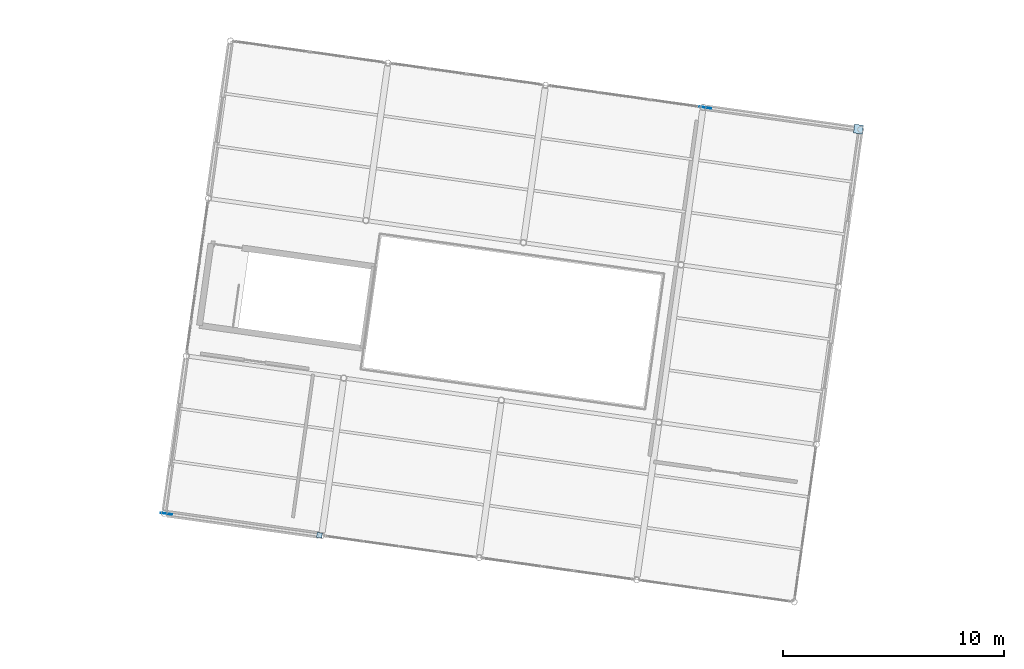
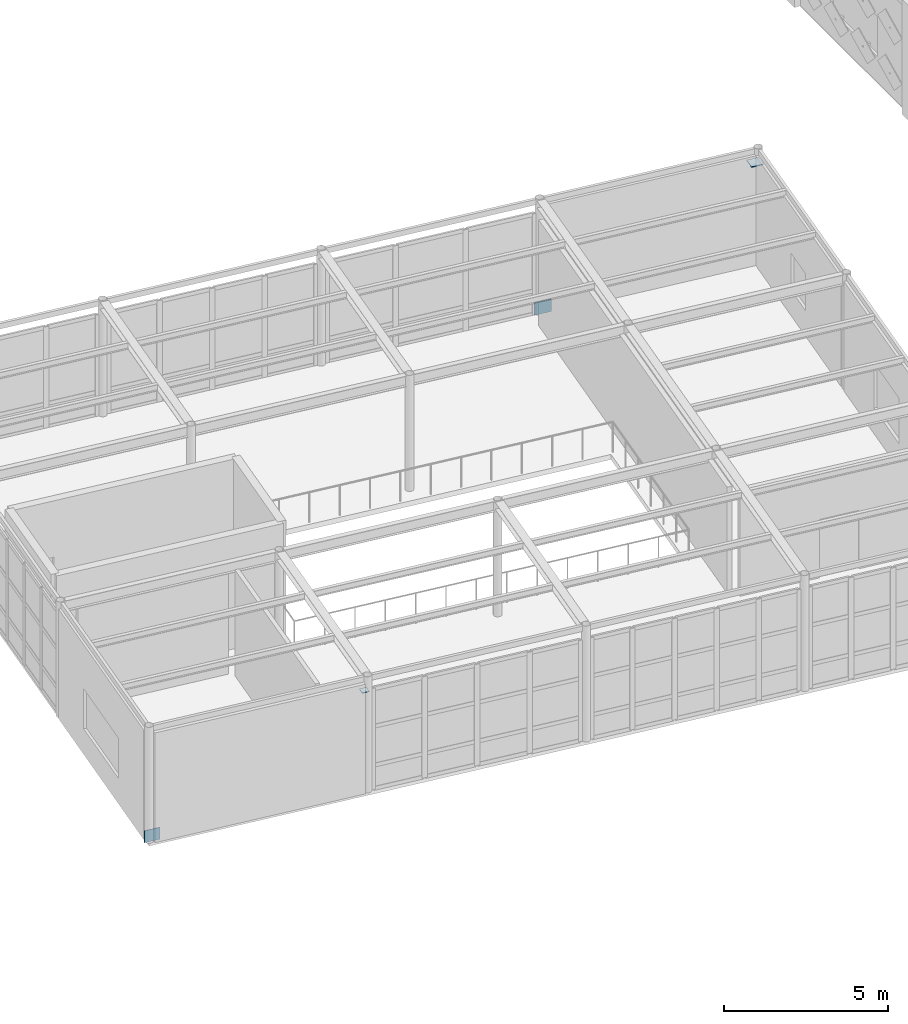
# One storey, part 51 of 67: 4 plates.
"""IFC4 building model written with IfcOpenShell, lengths in metres."""

import ifcopenshell
import ifcopenshell.guid

model = None  # the IFC model being written
_history = None  # IfcOwnerHistory: only IFC2X3 demands one
_inside = {}  # id of a spatial element -> (the spatial element, [elements in it])
_under = {}  # id of a project, library or spatial element -> (it, [spatial elements below it])
_declared = {}  # id of a project -> (the project, [libraries it declares])
_typed = {}  # id of a type object -> (the type object, [elements of that type])
_made_of = {}  # id of a material, layer set ... -> (it, [elements and type objects made of it])


def new_model(schema):
    """Start an empty IFC model of exactly this schema.

    Asked for "IFC4X3", IfcOpenShell would pick the latest addendum, in which some entities
    have other attributes; the version numbers below select the first issue.
    IFC2X3 requires an IfcOwnerHistory on every rooted entity: one is made here for all.
    """
    global model, _history
    if schema == "IFC4X3":
        model = ifcopenshell.file(schema_version=(4, 3, 0, 0))
    else:
        model = ifcopenshell.file(schema=schema)
    _inside.clear()
    _under.clear()
    _declared.clear()
    _typed.clear()
    _made_of.clear()
    _history = None
    if model.schema == "IFC2X3":
        org = make("IfcOrganization", Name="unknown")
        user = make(
            "IfcPersonAndOrganization",
            ThePerson=make("IfcPerson", FamilyName="unknown"),
            TheOrganization=org,
        )
        app = make(
            "IfcApplication",
            ApplicationDeveloper=org,
            Version="unknown",
            ApplicationFullName="unknown",
            ApplicationIdentifier="unknown",
        )
        _history = make(
            "IfcOwnerHistory",
            OwningUser=user,
            OwningApplication=app,
            ChangeAction="ADDED",
            CreationDate=0,
        )
    return model


def make(cls, **values):
    """One entity of the class cls with the attributes given. An attribute that is None is left unset."""
    return model.create_entity(
        cls, **{name: value for name, value in values.items() if value is not None}
    )


def rooted(cls, **values):
    """An entity with a GlobalId (a new one), such as an element, a storey or a relation."""
    return make(cls, GlobalId=ifcopenshell.guid.new(), OwnerHistory=_history, **values)


def si_unit(unit_type, name, prefix=None):
    """IfcSIUnit, for example si_unit("LENGTHUNIT", "METRE", prefix="MILLI")."""
    return make("IfcSIUnit", UnitType=unit_type, Prefix=prefix, Name=name)


def assignment(units):
    """IfcUnitAssignment: the units of a project."""
    return None if units is None else make("IfcUnitAssignment", Units=units)


def point(xyz):
    """IfcCartesianPoint."""
    return None if xyz is None else make("IfcCartesianPoint", Coordinates=xyz)


def direction(xyz):
    """IfcDirection."""
    return None if xyz is None else make("IfcDirection", DirectionRatios=xyz)


def frame(location, z_axis=None, x_axis=None):
    """IfcAxis2Placement3D, a coordinate frame: its origin and axes. An axis left out is left unset."""
    return make(
        "IfcAxis2Placement3D",
        Location=point(location),
        Axis=direction(z_axis),
        RefDirection=direction(x_axis),
    )


def frame_2d(location, x_axis=None):
    """IfcAxis2Placement2D, a coordinate frame in the plane: its origin and x axis."""
    return make(
        "IfcAxis2Placement2D", Location=point(location), RefDirection=direction(x_axis)
    )


def origin():
    """The frame at (0, 0, 0) with its axes left unset."""
    return frame((0.0, 0.0, 0.0))


def origin_2d():
    """The frame at (0, 0) in the plane with its x axis left unset."""
    return frame_2d((0.0, 0.0))


def place(relative_to, where):
    """IfcLocalPlacement: puts the frame where relative to a parent placement (None: the world)."""
    return make(
        "IfcLocalPlacement", PlacementRelTo=relative_to, RelativePlacement=where
    )


def context(
    kind, dimensions, precision=None, world=None, true_north=None, identifier=None
):
    """IfcGeometricRepresentationContext, for example the 3D "Model" context."""
    return make(
        "IfcGeometricRepresentationContext",
        ContextIdentifier=identifier,
        ContextType=kind,
        CoordinateSpaceDimension=dimensions,
        Precision=precision,
        WorldCoordinateSystem=world,
        TrueNorth=true_north,
    )


def subcontext(parent, identifier, kind, view, scale=None):
    """IfcGeometricRepresentationSubContext, for example "Body" below "Model"."""
    return make(
        "IfcGeometricRepresentationSubContext",
        ContextIdentifier=identifier,
        ContextType=kind,
        ParentContext=parent,
        TargetScale=scale,
        TargetView=view,
    )


def project(units=None, contexts=None):
    """IfcProject with its units and contexts."""
    return rooted(
        "IfcProject",
        Name="project",
        RepresentationContexts=contexts,
        UnitsInContext=assignment(units),
    )


def spatial(cls, under=None, at=None, **own):
    """A site, building, storey or space (cls), placed at a placement, below another one or the project."""
    s = rooted(cls, ObjectPlacement=at, **own)
    if under is not None:
        _under.setdefault(under.id(), (under, []))[1].append(s)
    return s


def profile(cls, at=None, kind="AREA", **sizes):
    """A parametric profile (cls). Its sizes go by their IFC names, for example OverallWidth=200.0."""
    return make(cls, ProfileType=kind, Position=at, **sizes)


def rectangle(**sizes):
    """IfcRectangleProfileDef."""
    return profile("IfcRectangleProfileDef", **sizes)


def extrude(swept, where, along, depth):
    """IfcExtrudedAreaSolid: the profile swept, set in the frame where, extruded along a direction by depth."""
    return make(
        "IfcExtrudedAreaSolid",
        SweptArea=swept,
        Position=where,
        ExtrudedDirection=direction(along),
        Depth=depth,
    )


def shape(context_of_items, identifier, shape_type, items):
    """IfcShapeRepresentation: the items that make up one representation, for example the "Body"."""
    return make(
        "IfcShapeRepresentation",
        ContextOfItems=context_of_items,
        RepresentationIdentifier=identifier,
        RepresentationType=shape_type,
        Items=items,
    )


def material(Name=None, Category=None):
    """IfcMaterial."""
    return make("IfcMaterial", Name=Name, Category=Category)


def layer(
    of_material, thickness, ventilated=None, Name=None, Category=None, Priority=None
):
    """IfcMaterialLayer: one layer of a wall or slab, of a material (None: an air gap)."""
    return make(
        "IfcMaterialLayer",
        Material=of_material,
        LayerThickness=thickness,
        IsVentilated=ventilated,
        Name=Name,
        Category=Category,
        Priority=Priority,
    )


def layer_set(layers, Name=None):
    """IfcMaterialLayerSet."""
    return make("IfcMaterialLayerSet", MaterialLayers=layers, LayerSetName=Name)


def made_of(thing, what):
    """Note that an element or type object is made of a material, layer set ...; save() writes the relation."""
    if what is not None:
        _made_of.setdefault(what.id(), (what, []))[1].append(thing)
    return thing


def type_object(cls, material=None, **own):
    """A type object (cls), such as IfcWallType, which elements share."""
    return made_of(rooted(cls, **own), material)


def element(
    cls,
    number,
    at=None,
    inside=None,
    cuts=None,
    type_object=None,
    material=None,
    context=None,
    identifier="Body",
    shape_type=None,
    held_by="IfcProductDefinitionShape",
    body=None,
    shapes=None,
    **own,
):
    """One element of the class cls, such as IfcWall. Its Tag is "e" and its number.

    at: its placement. inside: the storey or other place that contains it. cuts: it is an
    opening in that element (IfcRelVoidsElement). A single representation is given by context,
    identifier, shape_type and body (its items); several are given by shapes. held_by: the class
    of the entity that holds the representations. save() writes the other relations.
    """
    e = rooted(cls, Tag="e%d" % number, ObjectPlacement=at, **own)
    if body is not None:
        shapes = [shape(context, identifier, shape_type, body)]
    if shapes is not None:
        e.Representation = make(held_by, Representations=shapes)
    if inside is not None:
        _inside.setdefault(inside.id(), (inside, []))[1].append(e)
    if cuts is not None:
        rooted(
            "IfcRelVoidsElement", RelatingBuildingElement=cuts, RelatedOpeningElement=e
        )
    if type_object is not None:
        _typed.setdefault(type_object.id(), (type_object, []))[1].append(e)
    return made_of(e, material)


def aggregate(whole, parts):
    """IfcRelAggregates: a whole, such as a stair, and the parts it consists of."""
    return rooted("IfcRelAggregates", RelatingObject=whole, RelatedObjects=parts)


def save(model, path):
    """Write the relations noted so far, then the file.

    IfcRelAggregates (storeys below a building ...), IfcRelContainedInSpatialStructure (elements
    in a storey), IfcRelDefinesByType, IfcRelAssociatesMaterial and IfcRelDeclares: one each for
    every whole, place, type object, material and project.
    """
    for whole, parts in _under.values():
        aggregate(whole, parts)
    for where, things in _inside.values():
        rooted(
            "IfcRelContainedInSpatialStructure",
            RelatedElements=things,
            RelatingStructure=where,
        )
    for kind, things in _typed.values():
        rooted("IfcRelDefinesByType", RelatedObjects=things, RelatingType=kind)
    for what, things in _made_of.values():
        rooted("IfcRelAssociatesMaterial", RelatedObjects=things, RelatingMaterial=what)
    for by, libraries in _declared.values():
        rooted("IfcRelDeclares", RelatingContext=by, RelatedDefinitions=libraries)
    model.write(path)


model = new_model("IFC4")

# Units and contexts
model_context = context("Model", 3, precision=1e-05, world=origin(), true_north=direction((0.0, 1.0)))
body_context = subcontext(model_context, "Body", "Model", "MODEL_VIEW")
ifc_project = project(units=[si_unit("LENGTHUNIT", "METRE"), si_unit("AREAUNIT", "SQUARE_METRE"), si_unit("VOLUMEUNIT", "CUBIC_METRE"), si_unit("PLANEANGLEUNIT", "RADIAN"), si_unit("MASSUNIT", "GRAM", prefix="KILO")], contexts=[model_context])

# Site, building, storey
site_placement = place(None, origin())
site = spatial("IfcSite", under=ifc_project, at=site_placement, CompositionType="ELEMENT")
building_placement = place(site_placement, origin())
building = spatial("IfcBuilding", under=site, at=building_placement, Name="Kharisveld Research Institute", CompositionType="ELEMENT")
storey_placement = place(building_placement, frame((0.0, 0.0, 9.60009765625)))
storey = spatial("IfcBuildingStorey", under=building, at=storey_placement, Name="L02", CompositionType="ELEMENT", Elevation=9.60009765625)

# Plates
ifc_material_1 = material(Name="Steel S355JR", Category="steel")
ifc_layer_1 = layer(ifc_material_1, 0.02587890625)
ifc_layer_set_1 = layer_set([ifc_layer_1], Name="PL_CAP_D")
plate_type_1 = type_object("IfcPlateType", Name="PL_CAP_D", PredefinedType="SHEET", material=ifc_layer_set_1)
plate_1_placement = place(storey_placement, frame((82.031005859375, 16.511962890625, 3.741943359375), z_axis=(0.0, 0.0, 1.0), x_axis=(0.990268068742, -0.13917310096, 0.0)))
element("IfcPlate", 1, at=plate_1_placement, inside=storey, type_object=plate_type_1, Name="PLT:V4:L02:CAP_0_0", PredefinedType="SHEET", context=body_context, shape_type="SweptSolid", body=[
    extrude(rectangle(XDim=0.239990234375, YDim=0.239990234375, at=origin_2d()), origin(), (0.0, 0.0, 1.0), 0.02587890625),
])
ifc_material_2 = material(Name="Steel S355JR", Category="steel")
ifc_layer_2 = layer(ifc_material_2, 0.030029296875)
ifc_layer_set_2 = layer_set([ifc_layer_2], Name="PL_CAP_E")
plate_type_2 = type_object("IfcPlateType", Name="PL_CAP_E", PredefinedType="SHEET", material=ifc_layer_set_2)
plate_2_placement = place(storey_placement, frame((106.4267578125, 34.8955078125, 3.73974609375), z_axis=(0.0, 0.0, 1.0), x_axis=(0.990268068742, -0.13917310096, 0.0)))
element("IfcPlate", 2, at=plate_2_placement, inside=storey, type_object=plate_type_2, Name="PLT:V4:L02:CAP_3_3", PredefinedType="SHEET", context=body_context, shape_type="SweptSolid", body=[
    extrude(rectangle(XDim=0.39990234375, YDim=0.39990234375, at=origin_2d()), origin(), (0.0, 0.0, 1.0), 0.030029296875),
])
ifc_material_3 = material(Name="Steel S355JR", Category="steel")
ifc_layer_3 = layer(ifc_material_3, 0.028076171875)
ifc_layer_set_3 = layer_set([ifc_layer_3], Name="PL_GUS_D")
plate_type_3 = type_object("IfcPlateType", Name="PL_GUS_D", PredefinedType="USERDEFINED", material=ifc_layer_set_3)
plate_3_placement = place(storey_placement, frame((75.09912109375, 17.486083984375, -0.02001953125), z_axis=(0.0, 0.0, 1.0), x_axis=(0.990268068742, -0.13917310096, 0.0)))
element("IfcPlate", 3, at=plate_3_placement, inside=storey, type_object=plate_type_3, Name="PLT:V4:L02:GUS_0_0", ObjectType="GUSSET PLATE", PredefinedType="USERDEFINED", context=body_context, shape_type="SweptSolid", body=[
    extrude(rectangle(XDim=0.52001953125, YDim=0.028076171875, at=origin_2d()), origin(), (0.0, 0.0, 1.0), 0.43994140625),
])
ifc_material_4 = material(Name="Steel S355JR", Category="steel")
ifc_layer_4 = layer(ifc_material_4, 0.031982421875)
ifc_layer_set_4 = layer_set([ifc_layer_4], Name="PL_GUS_E")
plate_type_4 = type_object("IfcPlateType", Name="PL_GUS_E", PredefinedType="USERDEFINED", material=ifc_layer_set_4)
plate_4_placement = place(storey_placement, frame((99.494873046875, 35.86962890625, -0.030029296875), z_axis=(0.0, 0.0, 1.0), x_axis=(0.990268068742, -0.13917310096, 0.0)))
element("IfcPlate", 4, at=plate_4_placement, inside=storey, type_object=plate_type_4, Name="PLT:V4:L02:GUS_3_3", ObjectType="GUSSET PLATE", PredefinedType="USERDEFINED", context=body_context, shape_type="SweptSolid", body=[
    extrude(rectangle(XDim=0.56005859375, YDim=0.031982421875, at=origin_2d()), origin(), (0.0, 0.0, 1.0), 0.4599609375),
])

save(model, "model.ifc")
